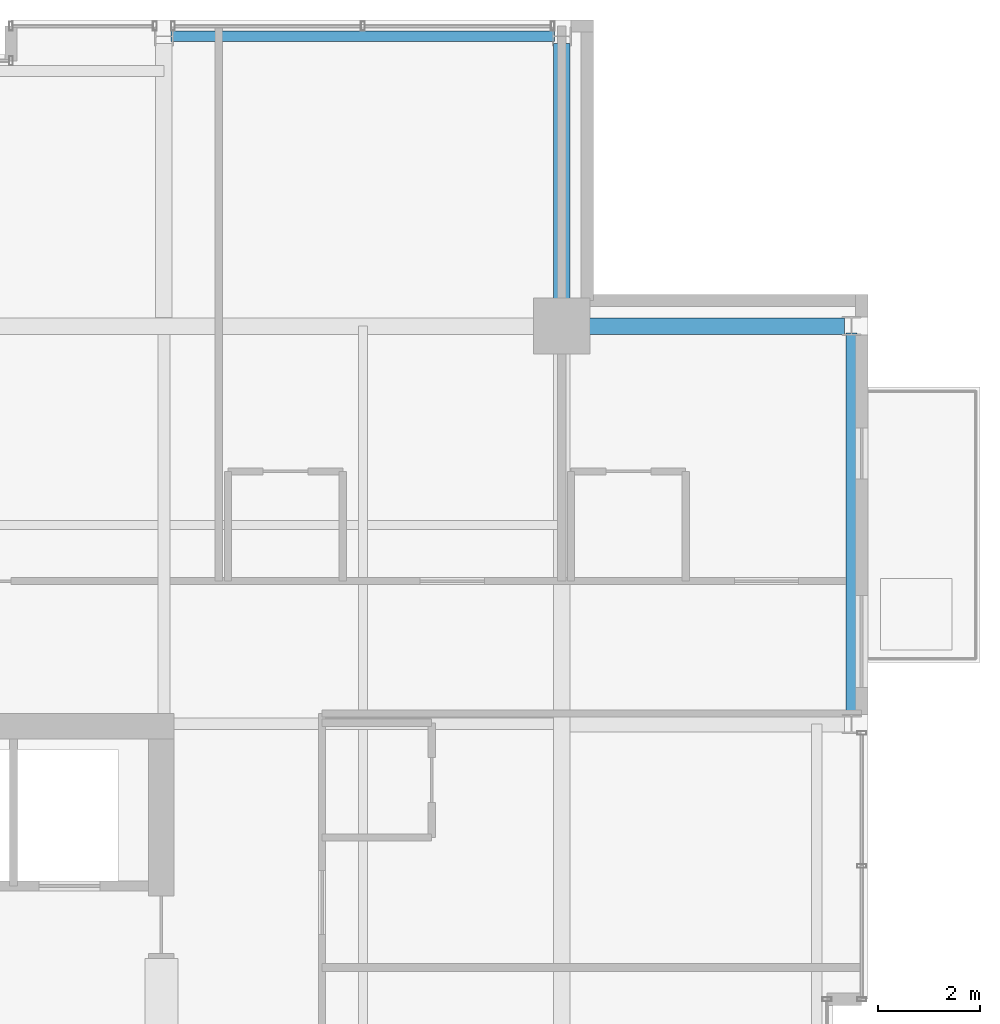
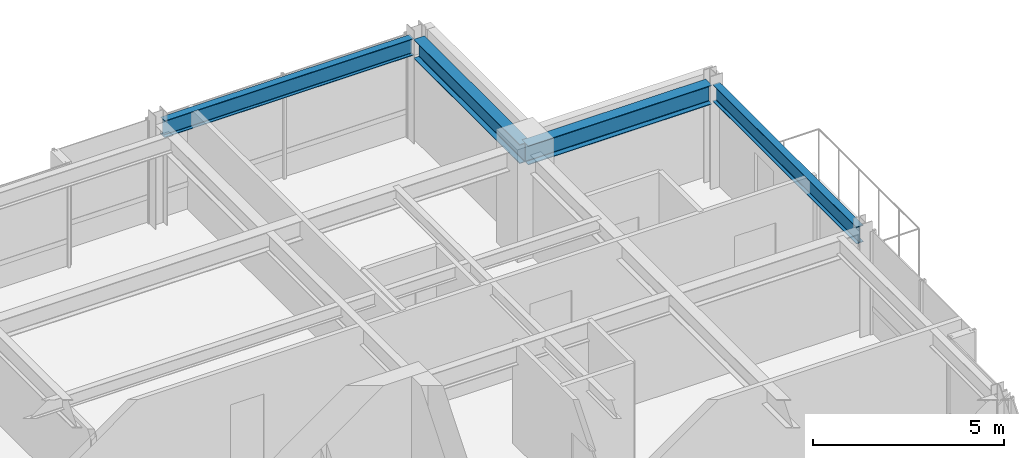
# One storey, part 25 of 34: 4 beams.
"""IFC4 building model written with IfcOpenShell, lengths in metres."""

from ifc_helpers import new_model, si_unit, direction, frame, origin, origin_2d, place, context, subcontext, project, spatial, i_section, extrude, material, material_profile, profile_set, type_object, element, save


model = new_model("IFC4")

# Units and contexts
model_context = context("Model", 3, precision=1e-05, world=origin(), true_north=direction((0.0, 1.0)))
body_context = subcontext(model_context, "Body", "Model", "MODEL_VIEW")
ifc_project = project(units=[si_unit("LENGTHUNIT", "METRE"), si_unit("AREAUNIT", "SQUARE_METRE"), si_unit("VOLUMEUNIT", "CUBIC_METRE"), si_unit("PLANEANGLEUNIT", "RADIAN"), si_unit("MASSUNIT", "GRAM", prefix="KILO")], contexts=[model_context])

# Site, building, storey
site_placement = place(None, origin())
site = spatial("IfcSite", under=ifc_project, at=site_placement, CompositionType="ELEMENT")
building_placement = place(site_placement, origin())
building = spatial("IfcBuilding", under=site, at=building_placement, Name="Drelvath Grand Hotel", CompositionType="ELEMENT")
storey_placement = place(building_placement, frame((0.0, 0.0, 251.89990234375)))
storey = spatial("IfcBuildingStorey", under=building, at=storey_placement, Name="L66", CompositionType="ELEMENT", Elevation=251.89990234375)

# Beams
ifc_material = material(Name="Steel ASTM A992 Gr 50", Category="steel")
ifc_material_profile_1 = material_profile(ifc_material, i_section(OverallWidth=0.210205078125, OverallDepth=0.53662109375, WebThickness=0.010986328125, FlangeThickness=0.017333984375, FilletRadius=0.01806640625, at=origin_2d()), Name="W21X68")
ifc_profile_set_1 = profile_set([ifc_material_profile_1], Name="Steel ASTM A992 Gr 50")
beam_type_1 = type_object("IfcBeamType", Name="Perimeter Spandrel Beam W21X68", PredefinedType="SPANDREL", material=ifc_profile_set_1)
for number, where, z_axis, x_axis, name in (
    (1, (21.8798828125, 35.5400390625, 3.03173828125), (0.0, 1.0, 0.0), (-1.0, 0.0, 0.0), "L66 Spandrel East N"),
    (2, (8.5400390625, 48.8798828125, 3.03173828125), (1.0, 0.0, 0.0), (0.0, 1.0, 0.0), "L66 Spandrel North E"),
):
    element("IfcBeam", number, at=place(storey_placement, frame(where, z_axis=z_axis, x_axis=x_axis)), inside=storey, type_object=beam_type_1, Name=name, PredefinedType="SPANDREL", context=body_context, shape_type="SweptSolid", body=[
        extrude(i_section(OverallWidth=0.210205078125, OverallDepth=0.53662109375, WebThickness=0.010986328125, FlangeThickness=0.017333984375, FilletRadius=0.01806640625, at=origin_2d()), origin(), (0.0, 0.0, 1.0), 7.52001953125),
    ])
ifc_material_profile_2 = material_profile(ifc_material, i_section(OverallWidth=0.323974609375, OverallDepth=0.611083984375, WebThickness=0.0126953125, FlangeThickness=0.01904296875, FilletRadius=0.02197265625, at=origin_2d()), Name="W24X104")
ifc_profile_set_2 = profile_set([ifc_material_profile_2], Name="Steel ASTM A992 Gr 50")
beam_type_2 = type_object("IfcBeamType", Name="Primary Floor Girder W24X104", PredefinedType="BEAM", material=ifc_profile_set_2)
for number, where, z_axis, x_axis, name in (
    (3, (16.199951171875, 43.199951171875, 2.994384765625), (1.0, 0.0, 0.0), (0.0, 1.0, 0.0), "L66 East Grid Girder G"),
    (4, (16.199951171875, 43.199951171875, 2.994384765625), (0.0, 1.0, 0.0), (-1.0, 0.0, 0.0), "L66 North Grid Girder 7"),
):
    element("IfcBeam", number, at=place(storey_placement, frame(where, z_axis=z_axis, x_axis=x_axis)), inside=storey, type_object=beam_type_2, Name=name, PredefinedType="BEAM", context=body_context, shape_type="SweptSolid", body=[
        extrude(i_section(OverallWidth=0.323974609375, OverallDepth=0.611083984375, WebThickness=0.0126953125, FlangeThickness=0.01904296875, FilletRadius=0.02197265625, at=origin_2d()), origin(), (0.0, 0.0, 1.0), 5.5400390625),
    ])

save(model, "model.ifc")
